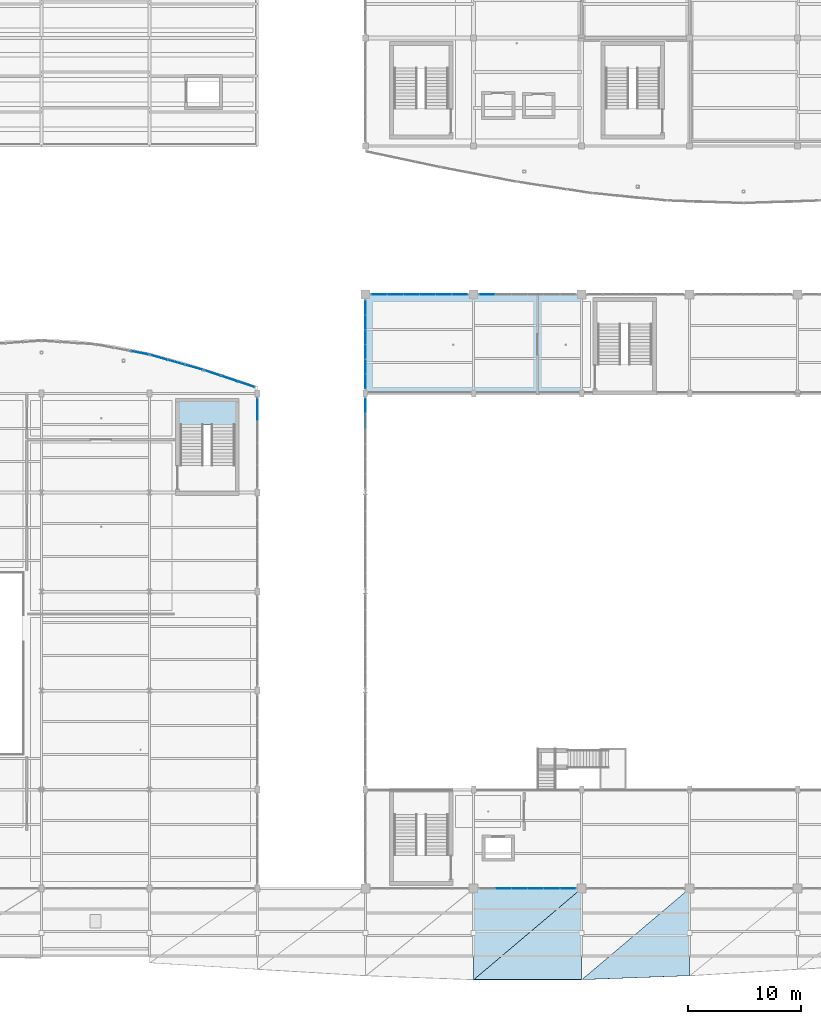
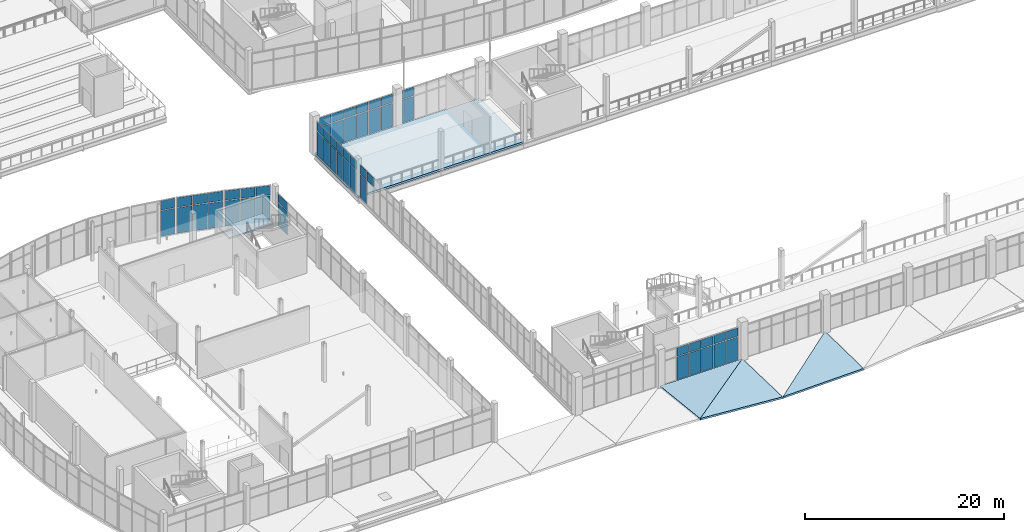
# One storey, part 118 of 157: 55 plates, 5 slabs, 10 elements without a shape of their own.
"""IFC4 building model written with IfcOpenShell, lengths in metres."""

from ifc_helpers import new_model, si_unit, direction, frame, origin, origin_2d, place, context, subcontext, project, spatial, polyline, rectangle, outline, extrude, material, layer, layer_set, type_object, element, aggregate, save


model = new_model("IFC4")

# Units and contexts
model_context = context("Model", 3, precision=1e-05, world=origin(), true_north=direction((0.0, 1.0)))
body_context = subcontext(model_context, "Body", "Model", "MODEL_VIEW")
ifc_project = project(units=[si_unit("LENGTHUNIT", "METRE"), si_unit("AREAUNIT", "SQUARE_METRE"), si_unit("VOLUMEUNIT", "CUBIC_METRE"), si_unit("PLANEANGLEUNIT", "RADIAN"), si_unit("MASSUNIT", "GRAM", prefix="KILO")], contexts=[model_context])

# Site, building, storey
site_placement = place(None, origin())
site = spatial("IfcSite", under=ifc_project, at=site_placement, CompositionType="ELEMENT")
building_placement = place(site_placement, origin())
building = spatial("IfcBuilding", under=site, at=building_placement, Name="Chalmorin Arch Market", CompositionType="ELEMENT")
storey_placement = place(building_placement, frame((0.0, 0.0, 4.800048828125)))
storey = spatial("IfcBuildingStorey", under=building, at=storey_placement, Name="L01", CompositionType="ELEMENT", Elevation=4.800048828125)

# Slabs
ifc_material_1 = material(Name="Concrete C40/50", Category="concrete")
ifc_layer_1 = layer(ifc_material_1, 0.219970703125)
ifc_layer_set_1 = layer_set([ifc_layer_1], Name="Concrete C40/50")
slab_type_1 = type_object("IfcSlabType", Name="ColonnadeCanopySlab-220", PredefinedType="ROOF", material=ifc_layer_set_1)
slab_1_placement = place(storey_placement, frame((57.6201171875, -2.10302734375, 0.94384765625), z_axis=(0.071755612229, 0.026622179973, 0.997066894269), x_axis=(0.997420413023, 0.0, -0.071781053806)))
element("IfcSlab", 1, at=slab_1_placement, inside=storey, type_object=slab_type_1, Name="RS-220-071", PredefinedType="ROOF", context=body_context, shape_type="SweptSolid", body=[
    extrude(outline(polyline([(0.0, 0.0), (9.584538604091225, 0.0), (9.600030413555308, 8.085873713338788), (0.0, 0.0)])), origin(), (0.0, 0.0, -1.0), 0.219970703125),
])
slab_2_placement = place(storey_placement, frame((57.6201171875, -2.10302734375, 0.94384765625), z_axis=(0.0, 0.111123357197, 0.993806620769), x_axis=(0.761642854081, 0.643983747808, -0.072007606451)))
element("IfcSlab", 2, at=slab_2_placement, inside=storey, type_object=slab_type_1, Name="RS-220-072", PredefinedType="ROOF", context=body_context, shape_type="SweptSolid", body=[
    extrude(outline(polyline([(0.0, 0.0), (12.551571122741969, 5.134781488891349e-16), (5.270406758179698, 6.194731461040598), (0.0, 0.0)])), origin(), (0.0, 0.0, -1.0), 0.219970703125),
])
slab_3_placement = place(storey_placement, frame((67.219970703125, -2.10205078125, 0.25390625), z_axis=(0.008063371456, 0.016919424366, 0.999824342132), x_axis=(0.999296239927, 0.036493018619, -0.00867666177)))
element("IfcSlab", 3, at=slab_3_placement, inside=storey, type_object=slab_type_1, Name="RS-220-073", PredefinedType="ROOF", context=body_context, shape_type="SweptSolid", body=[
    extrude(outline(polyline([(0.0, 0.0), (9.566791319505747, -5.160802341031001e-17), (9.85012397635567, 7.7288256718742305), (0.0, 0.0)])), origin(), (0.0, 0.0, -1.0), 0.219970703125),
])
ifc_layer_2 = layer(ifc_material_1, 0.25)
ifc_layer_set_2 = layer_set([ifc_layer_2], Name="Concrete C40/50")
slab_type_2 = type_object("IfcSlabType", Name="MezzanineDeckSlab-250", PredefinedType="FLOOR", material=ifc_layer_set_2)
slab_4_placement = place(storey_placement, frame((0.0, 0.0, -0.25)))
element("IfcSlab", 4, at=slab_4_placement, inside=storey, type_object=slab_type_2, Name="FS-250-086", PredefinedType="FLOOR", context=body_context, shape_type="SweptSolid", body=[
    extrude(outline(polyline([(48.010009765625, 50.0), (67.18994140625, 50.0), (67.18994140625, 58.800048828125), (48.010009765625, 58.800048828125), (48.010009765625, 50.0)])), origin(), (0.0, 0.0, 1.0), 0.25),
])

# Curtain wall, plates
ifc_material_2 = material(Name="Aluminium 6063-T6", Category="aluminium")
ifc_layer_3 = layer(ifc_material_2, 0.159912109375)
ifc_layer_set_3 = layer_set([ifc_layer_3], Name="Aluminium 6063-T6")
curtain_wall_type_1 = type_object("IfcCurtainWallType", Name="MarketClerestoryCurtainWall-CW1-8580x4150", PredefinedType="NOTDEFINED", material=ifc_layer_set_3)
curtain_wall_1_placement = place(storey_placement, origin())
curtain_wall_1 = element("IfcCurtainWall", 5, at=curtain_wall_1_placement, inside=storey, type_object=curtain_wall_type_1, Name="CW-01-002", PredefinedType="NOTDEFINED")
ifc_material_3 = material(Name="Powder-coated Aluminium Panel", Category="aluminium")
ifc_layer_4 = layer(ifc_material_3, 0.0400390625)
ifc_layer_set_4 = layer_set([ifc_layer_4], Name="Powder-coated Aluminium Panel")
plate_type_1 = type_object("IfcPlateType", Name="ShadowboxSpandrelPanel-40", PredefinedType="CURTAIN_PANEL", material=ifc_layer_set_4)
plate_1_placement = place(storey_placement, frame((49.22509765625, 58.800048828125, 3.03271484375), z_axis=(0.0, 0.0, 1.0), x_axis=(1.0, 0.0, 0.0)))
plate_1 = element("IfcPlate", 6, at=plate_1_placement, type_object=plate_type_1, Name="SP-40-002-01B", PredefinedType="CURTAIN_PANEL", context=body_context, shape_type="SweptSolid", body=[
    extrude(rectangle(XDim=1.35009765625, YDim=0.0400390625, at=origin_2d()), origin(), (0.0, 0.0, 1.0), 1.047119140625),
])
plate_2_placement = place(storey_placement, frame((50.655029296875, 58.800048828125, 3.03271484375), z_axis=(0.0, 0.0, 1.0), x_axis=(1.0, 0.0, 0.0)))
plate_2 = element("IfcPlate", 7, at=plate_2_placement, type_object=plate_type_1, Name="SP-40-002-02B", PredefinedType="CURTAIN_PANEL", context=body_context, shape_type="SweptSolid", body=[
    extrude(rectangle(XDim=1.35009765625, YDim=0.0400390625, at=origin_2d()), origin(), (0.0, 0.0, 1.0), 1.047119140625),
])
plate_3_placement = place(storey_placement, frame((52.0849609375, 58.800048828125, 3.03271484375), z_axis=(0.0, 0.0, 1.0), x_axis=(1.0, 0.0, 0.0)))
plate_3 = element("IfcPlate", 8, at=plate_3_placement, type_object=plate_type_1, Name="SP-40-002-03B", PredefinedType="CURTAIN_PANEL", context=body_context, shape_type="SweptSolid", body=[
    extrude(rectangle(XDim=1.35009765625, YDim=0.0400390625, at=origin_2d()), origin(), (0.0, 0.0, 1.0), 1.047119140625),
])
plate_4_placement = place(storey_placement, frame((53.514892578125, 58.800048828125, 3.03271484375), z_axis=(0.0, 0.0, 1.0), x_axis=(1.0, 0.0, 0.0)))
plate_4 = element("IfcPlate", 9, at=plate_4_placement, type_object=plate_type_1, Name="SP-40-002-04B", PredefinedType="CURTAIN_PANEL", context=body_context, shape_type="SweptSolid", body=[
    extrude(rectangle(XDim=1.35009765625, YDim=0.0400390625, at=origin_2d()), origin(), (0.0, 0.0, 1.0), 1.047119140625),
])
plate_5_placement = place(storey_placement, frame((54.945068359375, 58.800048828125, 3.03271484375), z_axis=(0.0, 0.0, 1.0), x_axis=(1.0, 0.0, 0.0)))
plate_5 = element("IfcPlate", 10, at=plate_5_placement, type_object=plate_type_1, Name="SP-40-002-05B", PredefinedType="CURTAIN_PANEL", context=body_context, shape_type="SweptSolid", body=[
    extrude(rectangle(XDim=1.35009765625, YDim=0.0400390625, at=origin_2d()), origin(), (0.0, 0.0, 1.0), 1.047119140625),
])
plate_6_placement = place(storey_placement, frame((56.375, 58.800048828125, 3.03271484375), z_axis=(0.0, 0.0, 1.0), x_axis=(1.0, 0.0, 0.0)))
plate_6 = element("IfcPlate", 11, at=plate_6_placement, type_object=plate_type_1, Name="SP-40-002-06B", PredefinedType="CURTAIN_PANEL", context=body_context, shape_type="SweptSolid", body=[
    extrude(rectangle(XDim=1.35009765625, YDim=0.0400390625, at=origin_2d()), origin(), (0.0, 0.0, 1.0), 1.047119140625),
])

# Curtain wall, plate
curtain_wall_2_placement = place(storey_placement, origin())
curtain_wall_2 = element("IfcCurtainWall", 12, at=curtain_wall_2_placement, inside=storey, type_object=curtain_wall_type_1, Name="CW-01-006", PredefinedType="NOTDEFINED")
plate_7_placement = place(storey_placement, frame((58.824951171875, 58.800048828125, 3.03271484375), z_axis=(0.0, 0.0, 1.0), x_axis=(1.0, 0.0, 0.0)))
plate_7 = element("IfcPlate", 13, at=plate_7_placement, type_object=plate_type_1, Name="SP-40-006-01B", PredefinedType="CURTAIN_PANEL", context=body_context, shape_type="SweptSolid", body=[
    extrude(rectangle(XDim=1.35009765625, YDim=0.0400390625, at=origin_2d()), origin(), (0.0, 0.0, 1.0), 1.047119140625),
])

# Curtain wall, plates
ifc_layer_5 = layer(ifc_material_2, 0.159912109375)
ifc_layer_set_5 = layer_set([ifc_layer_5], Name="Aluminium 6063-T6")
curtain_wall_type_2 = type_object("IfcCurtainWallType", Name="GableTympanumCurtainWall-CW4-8100x4200", PredefinedType="NOTDEFINED", material=ifc_layer_set_5)
curtain_wall_3_placement = place(storey_placement, origin())
curtain_wall_3 = element("IfcCurtainWall", 14, at=curtain_wall_3_placement, inside=storey, type_object=curtain_wall_type_2, Name="CW-04-032", PredefinedType="NOTDEFINED")
plate_8_placement = place(storey_placement, frame((48.0, 47.564453125, 3.06884765625), z_axis=(0.0, 0.0, 1.0), x_axis=(0.0, 1.0, 0.0)))
plate_8 = element("IfcPlate", 15, at=plate_8_placement, type_object=plate_type_1, Name="SP-40-032-05B", PredefinedType="CURTAIN_PANEL", context=body_context, shape_type="SweptSolid", body=[
    extrude(rectangle(XDim=1.270263671875, YDim=0.0400390625, at=origin_2d()), origin(), (0.0, 0.0, 1.0), 1.06103515625),
])
plate_9_placement = place(storey_placement, frame((48.0, 48.914794921875, 3.06884765625), z_axis=(0.0, 0.0, 1.0), x_axis=(0.0, 1.0, 0.0)))
plate_9 = element("IfcPlate", 16, at=plate_9_placement, type_object=plate_type_1, Name="SP-40-032-06B", PredefinedType="CURTAIN_PANEL", context=body_context, shape_type="SweptSolid", body=[
    extrude(rectangle(XDim=1.270263671875, YDim=0.0400390625, at=origin_2d()), origin(), (0.0, 0.0, 1.0), 1.06103515625),
])

ifc_layer_6 = layer(ifc_material_2, 0.159912109375)
ifc_layer_set_6 = layer_set([ifc_layer_6], Name="Aluminium 6063-T6")
curtain_wall_type_3 = type_object("IfcCurtainWallType", Name="GableTympanumCurtainWall-CW4-7880x4200", PredefinedType="NOTDEFINED", material=ifc_layer_set_6)
curtain_wall_4_placement = place(storey_placement, origin())
curtain_wall_4 = element("IfcCurtainWall", 17, at=curtain_wall_4_placement, inside=storey, type_object=curtain_wall_type_3, Name="CW-04-035", PredefinedType="NOTDEFINED")
plate_10_placement = place(storey_placement, frame((48.0, 51.066650390625, 3.06884765625), z_axis=(0.0, 0.0, 1.0), x_axis=(0.0, 1.0, 0.0)))
plate_10 = element("IfcPlate", 18, at=plate_10_placement, type_object=plate_type_1, Name="SP-40-035-01B", PredefinedType="CURTAIN_PANEL", context=body_context, shape_type="SweptSolid", body=[
    extrude(rectangle(XDim=1.2333984375, YDim=0.0400390625, at=origin_2d()), origin(), (0.0, 0.0, 1.0), 1.06103515625),
])
plate_11_placement = place(storey_placement, frame((48.0, 52.3798828125, 3.06884765625), z_axis=(0.0, 0.0, 1.0), x_axis=(0.0, 1.0, 0.0)))
plate_11 = element("IfcPlate", 19, at=plate_11_placement, type_object=plate_type_1, Name="SP-40-035-02B", PredefinedType="CURTAIN_PANEL", context=body_context, shape_type="SweptSolid", body=[
    extrude(rectangle(XDim=1.2333984375, YDim=0.0400390625, at=origin_2d()), origin(), (0.0, 0.0, 1.0), 1.06103515625),
])
plate_12_placement = place(storey_placement, frame((48.0, 53.693359375, 3.06884765625), z_axis=(0.0, 0.0, 1.0), x_axis=(0.0, 1.0, 0.0)))
plate_12 = element("IfcPlate", 20, at=plate_12_placement, type_object=plate_type_1, Name="SP-40-035-03B", PredefinedType="CURTAIN_PANEL", context=body_context, shape_type="SweptSolid", body=[
    extrude(rectangle(XDim=1.2333984375, YDim=0.0400390625, at=origin_2d()), origin(), (0.0, 0.0, 1.0), 1.06103515625),
])
plate_13_placement = place(storey_placement, frame((48.0, 55.006591796875, 3.06884765625), z_axis=(0.0, 0.0, 1.0), x_axis=(0.0, 1.0, 0.0)))
plate_13 = element("IfcPlate", 21, at=plate_13_placement, type_object=plate_type_1, Name="SP-40-035-04B", PredefinedType="CURTAIN_PANEL", context=body_context, shape_type="SweptSolid", body=[
    extrude(rectangle(XDim=1.2333984375, YDim=0.0400390625, at=origin_2d()), origin(), (0.0, 0.0, 1.0), 1.06103515625),
])
plate_14_placement = place(storey_placement, frame((48.0, 56.320068359375, 3.06884765625), z_axis=(0.0, 0.0, 1.0), x_axis=(0.0, 1.0, 0.0)))
plate_14 = element("IfcPlate", 22, at=plate_14_placement, type_object=plate_type_1, Name="SP-40-035-05B", PredefinedType="CURTAIN_PANEL", context=body_context, shape_type="SweptSolid", body=[
    extrude(rectangle(XDim=1.2333984375, YDim=0.0400390625, at=origin_2d()), origin(), (0.0, 0.0, 1.0), 1.06103515625),
])
plate_15_placement = place(storey_placement, frame((48.0, 57.63330078125, 3.06884765625), z_axis=(0.0, 0.0, 1.0), x_axis=(0.0, 1.0, 0.0)))
plate_15 = element("IfcPlate", 23, at=plate_15_placement, type_object=plate_type_1, Name="SP-40-035-06B", PredefinedType="CURTAIN_PANEL", context=body_context, shape_type="SweptSolid", body=[
    extrude(rectangle(XDim=1.2333984375, YDim=0.0400390625, at=origin_2d()), origin(), (0.0, 0.0, 1.0), 1.06103515625),
])

# Curtain wall, plate
ifc_layer_7 = layer(ifc_material_2, 0.159912109375)
ifc_layer_set_7 = layer_set([ifc_layer_7], Name="Aluminium 6063-T6")
curtain_wall_type_4 = type_object("IfcCurtainWallType", Name="RiverfrontStorefrontCurtainWall-CW2-4710x4520", PredefinedType="NOTDEFINED", material=ifc_layer_set_7)
curtain_wall_5_placement = place(storey_placement, origin())
curtain_wall_5 = element("IfcCurtainWall", 24, at=curtain_wall_5_placement, inside=storey, type_object=curtain_wall_type_4, Name="CW-02-085", PredefinedType="NOTDEFINED")
plate_16_placement = place(storey_placement, frame((27.941162109375, 53.61279296875, 3.29931640625), z_axis=(0.0, 0.0, 1.0), x_axis=(0.981627183448, -0.190808995377, 0.0)))
plate_16 = element("IfcPlate", 25, at=plate_16_placement, type_object=plate_type_1, Name="SP-40-085-03B", PredefinedType="CURTAIN_PANEL", context=body_context, shape_type="SweptSolid", body=[
    extrude(rectangle(XDim=1.488525390625, YDim=0.0400390625, at=origin_2d()), origin(), (0.0, 0.0, 1.0), 1.150634765625),
])

# Curtain wall, plates
ifc_layer_8 = layer(ifc_material_2, 0.159912109375)
ifc_layer_set_8 = layer_set([ifc_layer_8], Name="Aluminium 6063-T6")
curtain_wall_type_5 = type_object("IfcCurtainWallType", Name="RiverfrontStorefrontCurtainWall-CW2-4810x4520", PredefinedType="NOTDEFINED", material=ifc_layer_set_8)
curtain_wall_6_placement = place(storey_placement, origin())
curtain_wall_6 = element("IfcCurtainWall", 26, at=curtain_wall_6_placement, inside=storey, type_object=curtain_wall_type_5, Name="CW-02-088", PredefinedType="NOTDEFINED")
plate_17_placement = place(storey_placement, frame((29.65771484375, 53.206298828125, 3.29931640625), z_axis=(0.0, 0.0, 1.0), x_axis=(0.961261695938, -0.275637355817, 0.0)))
plate_17 = element("IfcPlate", 27, at=plate_17_placement, type_object=plate_type_1, Name="SP-40-088-01B", PredefinedType="CURTAIN_PANEL", context=body_context, shape_type="SweptSolid", body=[
    extrude(rectangle(XDim=1.523193359375, YDim=0.0400390625, at=origin_2d()), origin(), (0.0, 0.0, 1.0), 1.150634765625),
])
plate_18_placement = place(storey_placement, frame((31.199951171875, 52.7685546875, 3.29931640625), z_axis=(0.0, 0.0, 1.0), x_axis=(0.961261695938, -0.275637355817, 0.0)))
plate_18 = element("IfcPlate", 28, at=plate_18_placement, type_object=plate_type_1, Name="SP-40-088-02B", PredefinedType="CURTAIN_PANEL", context=body_context, shape_type="SweptSolid", body=[
    extrude(rectangle(XDim=1.523193359375, YDim=0.0400390625, at=origin_2d()), origin(), (0.0, 0.0, 1.0), 1.150634765625),
])
plate_19_placement = place(storey_placement, frame((32.7421875, 52.33056640625, 3.29931640625), z_axis=(0.0, 0.0, 1.0), x_axis=(0.961261695938, -0.275637355817, 0.0)))
plate_19 = element("IfcPlate", 29, at=plate_19_placement, type_object=plate_type_1, Name="SP-40-088-03B", PredefinedType="CURTAIN_PANEL", context=body_context, shape_type="SweptSolid", body=[
    extrude(rectangle(XDim=1.523193359375, YDim=0.0400390625, at=origin_2d()), origin(), (0.0, 0.0, 1.0), 1.150634765625),
])

ifc_layer_9 = layer(ifc_material_2, 0.159912109375)
ifc_layer_set_9 = layer_set([ifc_layer_9], Name="Aluminium 6063-T6")
curtain_wall_type_6 = type_object("IfcCurtainWallType", Name="RiverfrontStorefrontCurtainWall-CW2-4700x4520", PredefinedType="NOTDEFINED", material=ifc_layer_set_9)
curtain_wall_7_placement = place(storey_placement, origin())
curtain_wall_7 = element("IfcCurtainWall", 30, at=curtain_wall_7_placement, inside=storey, type_object=curtain_wall_type_6, Name="CW-02-091", PredefinedType="NOTDEFINED")
plate_20_placement = place(storey_placement, frame((34.427734375, 51.809814453125, 3.29931640625), z_axis=(0.0, 0.0, 1.0), x_axis=(0.945518575599, -0.325568154457, 0.0)))
plate_20 = element("IfcPlate", 31, at=plate_20_placement, type_object=plate_type_1, Name="SP-40-091-01B", PredefinedType="CURTAIN_PANEL", context=body_context, shape_type="SweptSolid", body=[
    extrude(rectangle(XDim=1.48583984375, YDim=0.0400390625, at=origin_2d()), origin(), (0.0, 0.0, 1.0), 1.150634765625),
])
plate_21_placement = place(storey_placement, frame((35.91259765625, 51.312744140625, 3.29931640625), z_axis=(0.0, 0.0, 1.0), x_axis=(0.945518575599, -0.325568154457, 0.0)))
plate_21 = element("IfcPlate", 32, at=plate_21_placement, type_object=plate_type_1, Name="SP-40-091-02B", PredefinedType="CURTAIN_PANEL", context=body_context, shape_type="SweptSolid", body=[
    extrude(rectangle(XDim=1.48583984375, YDim=0.0400390625, at=origin_2d()), origin(), (0.0, 0.0, 1.0), 1.150634765625),
])
plate_22_placement = place(storey_placement, frame((37.397705078125, 50.815673828125, 3.29931640625), z_axis=(0.0, 0.0, 1.0), x_axis=(0.945518575599, -0.325568154457, 0.0)))
plate_22 = element("IfcPlate", 33, at=plate_22_placement, type_object=plate_type_1, Name="SP-40-091-03B", PredefinedType="CURTAIN_PANEL", context=body_context, shape_type="SweptSolid", body=[
    extrude(rectangle(XDim=1.48583984375, YDim=0.0400390625, at=origin_2d()), origin(), (0.0, 0.0, 1.0), 1.150634765625),
])

# Curtain wall, plate
ifc_layer_10 = layer(ifc_material_2, 0.159912109375)
ifc_layer_set_10 = layer_set([ifc_layer_10], Name="Aluminium 6063-T6")
curtain_wall_type_7 = type_object("IfcCurtainWallType", Name="RiverfrontStorefrontCurtainWall-CW2-7930x4080", PredefinedType="NOTDEFINED", material=ifc_layer_set_10)
curtain_wall_8_placement = place(storey_placement, origin())
curtain_wall_8 = element("IfcCurtainWall", 34, at=curtain_wall_8_placement, inside=storey, type_object=curtain_wall_type_7, Name="CW-02-105", PredefinedType="NOTDEFINED")
plate_23_placement = place(storey_placement, frame((38.39990234375, 48.57373046875, 2.9794921875), z_axis=(0.0, 0.0, 1.0), x_axis=(0.0, 1.0, 0.0)))
plate_23 = element("IfcPlate", 35, at=plate_23_placement, type_object=plate_type_1, Name="SP-40-105-04B", PredefinedType="CURTAIN_PANEL", context=body_context, shape_type="SweptSolid", body=[
    extrude(rectangle(XDim=1.902587890625, YDim=0.0400390625, at=origin_2d()), origin(), (0.0, 0.0, 1.0), 1.0263671875),
])

# Stair, slab
stair_type = type_object("IfcStairType", Name="DoglegExitStair-28R-SC2", PredefinedType="HALF_TURN_STAIR", material=ifc_material_1)
stair_placement = place(storey_placement, origin())
stair = element("IfcStair", 36, at=stair_placement, inside=storey, type_object=stair_type, Name="ST-04", PredefinedType="HALF_TURN_STAIR")
ifc_layer_11 = layer(ifc_material_1, 0.195068359375)
ifc_layer_set_11 = layer_set([ifc_layer_11], Name="Concrete C40/50")
slab_type_3 = type_object("IfcSlabType", Name="StairLandingSlab-195", PredefinedType="LANDING", material=ifc_layer_set_11)
slab_5_placement = place(storey_placement, frame((0.0, 0.0, 2.204833984375)))
slab_5 = element("IfcSlab", 37, at=slab_5_placement, type_object=slab_type_3, Name="LS-004", PredefinedType="LANDING", context=body_context, shape_type="SweptSolid", body=[
    extrude(outline(polyline([(31.419921875, 47.2099609375), (36.47998046875, 47.2099609375), (36.47998046875, 49.280029296875), (31.419921875, 49.280029296875), (31.419921875, 47.2099609375)])), origin(), (0.0, 0.0, 1.0), 0.195068359375),
])
aggregate(stair, [slab_5])

# Curtain wall, plates
ifc_layer_12 = layer(ifc_material_2, 0.159912109375)
ifc_layer_set_12 = layer_set([ifc_layer_12], Name="Aluminium 6063-T6")
curtain_wall_type_8 = type_object("IfcCurtainWallType", Name="MarketClerestoryCurtainWall-CW1-8580x4100", PredefinedType="NOTDEFINED", material=ifc_layer_set_12)
curtain_wall_9_placement = place(storey_placement, origin())
curtain_wall_9 = element("IfcCurtainWall", 38, at=curtain_wall_9_placement, inside=storey, type_object=curtain_wall_type_8, Name="CW-01-004", PredefinedType="NOTDEFINED")
ifc_material_4 = material(Name="Architectural Terracotta", Category="masonry")
ifc_layer_13 = layer(ifc_material_4, 0.044921875)
ifc_layer_set_13 = layer_set([ifc_layer_13], Name="Architectural Terracotta")
plate_type_2 = type_object("IfcPlateType", Name="TerracottaSpandrelPanel-45", PredefinedType="CURTAIN_PANEL", material=ifc_layer_set_13)
plate_24_placement = place(storey_placement, frame((60.2548828125, 6.0, 2.994140625), z_axis=(0.0, 0.0, 1.0), x_axis=(1.0, 0.0, 0.0)))
plate_24 = element("IfcPlate", 39, at=plate_24_placement, type_object=plate_type_2, Name="SP-45-004-02B", PredefinedType="CURTAIN_PANEL", context=body_context, shape_type="SweptSolid", body=[
    extrude(rectangle(XDim=1.35009765625, YDim=0.044921875, at=origin_2d()), origin(), (0.0, 0.0, 1.0), 1.031982421875),
])
plate_25_placement = place(storey_placement, frame((61.68505859375, 6.0, 2.994140625), z_axis=(0.0, 0.0, 1.0), x_axis=(1.0, 0.0, 0.0)))
plate_25 = element("IfcPlate", 40, at=plate_25_placement, type_object=plate_type_2, Name="SP-45-004-03B", PredefinedType="CURTAIN_PANEL", context=body_context, shape_type="SweptSolid", body=[
    extrude(rectangle(XDim=1.35009765625, YDim=0.044921875, at=origin_2d()), origin(), (0.0, 0.0, 1.0), 1.031982421875),
])
plate_26_placement = place(storey_placement, frame((63.114990234375, 6.0, 2.994140625), z_axis=(0.0, 0.0, 1.0), x_axis=(1.0, 0.0, 0.0)))
plate_26 = element("IfcPlate", 41, at=plate_26_placement, type_object=plate_type_2, Name="SP-45-004-04B", PredefinedType="CURTAIN_PANEL", context=body_context, shape_type="SweptSolid", body=[
    extrude(rectangle(XDim=1.35009765625, YDim=0.044921875, at=origin_2d()), origin(), (0.0, 0.0, 1.0), 1.031982421875),
])
plate_27_placement = place(storey_placement, frame((64.544921875, 6.0, 2.994140625), z_axis=(0.0, 0.0, 1.0), x_axis=(1.0, 0.0, 0.0)))
plate_27 = element("IfcPlate", 42, at=plate_27_placement, type_object=plate_type_2, Name="SP-45-004-05B", PredefinedType="CURTAIN_PANEL", context=body_context, shape_type="SweptSolid", body=[
    extrude(rectangle(XDim=1.35009765625, YDim=0.044921875, at=origin_2d()), origin(), (0.0, 0.0, 1.0), 1.031982421875),
])
plate_28_placement = place(storey_placement, frame((65.97509765625, 6.0, 2.994140625), z_axis=(0.0, 0.0, 1.0), x_axis=(1.0, 0.0, 0.0)))
plate_28 = element("IfcPlate", 43, at=plate_28_placement, type_object=plate_type_2, Name="SP-45-004-06B", PredefinedType="CURTAIN_PANEL", context=body_context, shape_type="SweptSolid", body=[
    extrude(rectangle(XDim=1.35009765625, YDim=0.044921875, at=origin_2d()), origin(), (0.0, 0.0, 1.0), 1.031982421875),
])
ifc_material_5 = material(Name="Laminated Acoustic Glass", Category="glass")
ifc_layer_14 = layer(ifc_material_5, 0.031982421875)
ifc_layer_set_14 = layer_set([ifc_layer_14], Name="Laminated Acoustic Glass")
plate_type_3 = type_object("IfcPlateType", Name="TintedClerestoryGlass-32", PredefinedType="CURTAIN_PANEL", material=ifc_layer_set_14)
plate_29_placement = place(storey_placement, frame((60.2548828125, 6.0, 0.070068359375), z_axis=(0.0, 0.0, 1.0), x_axis=(1.0, 0.0, 0.0)))
plate_29 = element("IfcPlate", 44, at=plate_29_placement, type_object=plate_type_3, Name="GL-32-004-02A", PredefinedType="CURTAIN_PANEL", context=body_context, shape_type="SweptSolid", body=[
    extrude(rectangle(XDim=1.35009765625, YDim=0.031982421875, at=origin_2d()), origin(), (0.0, 0.0, 1.0), 2.833984375),
])
plate_30_placement = place(storey_placement, frame((61.68505859375, 6.0, 0.070068359375), z_axis=(0.0, 0.0, 1.0), x_axis=(1.0, 0.0, 0.0)))
plate_30 = element("IfcPlate", 45, at=plate_30_placement, type_object=plate_type_3, Name="GL-32-004-03A", PredefinedType="CURTAIN_PANEL", context=body_context, shape_type="SweptSolid", body=[
    extrude(rectangle(XDim=1.35009765625, YDim=0.031982421875, at=origin_2d()), origin(), (0.0, 0.0, 1.0), 2.833984375),
])
plate_31_placement = place(storey_placement, frame((63.114990234375, 6.0, 0.070068359375), z_axis=(0.0, 0.0, 1.0), x_axis=(1.0, 0.0, 0.0)))
plate_31 = element("IfcPlate", 46, at=plate_31_placement, type_object=plate_type_3, Name="GL-32-004-04A", PredefinedType="CURTAIN_PANEL", context=body_context, shape_type="SweptSolid", body=[
    extrude(rectangle(XDim=1.35009765625, YDim=0.031982421875, at=origin_2d()), origin(), (0.0, 0.0, 1.0), 2.833984375),
])
plate_32_placement = place(storey_placement, frame((64.544921875, 6.0, 0.070068359375), z_axis=(0.0, 0.0, 1.0), x_axis=(1.0, 0.0, 0.0)))
plate_32 = element("IfcPlate", 47, at=plate_32_placement, type_object=plate_type_3, Name="GL-32-004-05A", PredefinedType="CURTAIN_PANEL", context=body_context, shape_type="SweptSolid", body=[
    extrude(rectangle(XDim=1.35009765625, YDim=0.031982421875, at=origin_2d()), origin(), (0.0, 0.0, 1.0), 2.833984375),
])
plate_33_placement = place(storey_placement, frame((65.97509765625, 6.0, 0.070068359375), z_axis=(0.0, 0.0, 1.0), x_axis=(1.0, 0.0, 0.0)))
plate_33 = element("IfcPlate", 48, at=plate_33_placement, type_object=plate_type_3, Name="GL-32-004-06A", PredefinedType="CURTAIN_PANEL", context=body_context, shape_type="SweptSolid", body=[
    extrude(rectangle(XDim=1.35009765625, YDim=0.031982421875, at=origin_2d()), origin(), (0.0, 0.0, 1.0), 2.833984375),
])
aggregate(curtain_wall_9, [plate_29, plate_24, plate_30, plate_25, plate_31, plate_26, plate_32, plate_27, plate_33, plate_28])

# Plate
ifc_material_6 = material(Name="Low-E Tempered Glass", Category="glass")
ifc_layer_15 = layer(ifc_material_6, 0.028076171875)
ifc_layer_set_15 = layer_set([ifc_layer_15], Name="Low-E Tempered Glass")
plate_type_4 = type_object("IfcPlateType", Name="VisionIGUPanel-28", PredefinedType="CURTAIN_PANEL", material=ifc_layer_set_15)
plate_34_placement = place(storey_placement, frame((49.22509765625, 58.800048828125, 0.06982421875), z_axis=(0.0, 0.0, 1.0), x_axis=(1.0, 0.0, 0.0)))
plate_34 = element("IfcPlate", 49, at=plate_34_placement, type_object=plate_type_4, Name="GL-28-002-01A", PredefinedType="CURTAIN_PANEL", context=body_context, shape_type="SweptSolid", body=[
    extrude(rectangle(XDim=1.35009765625, YDim=0.028076171875, at=origin_2d()), origin(), (0.0, 0.0, 1.0), 2.873046875),
])

plate_35_placement = place(storey_placement, frame((50.655029296875, 58.800048828125, 0.06982421875), z_axis=(0.0, 0.0, 1.0), x_axis=(1.0, 0.0, 0.0)))
plate_35 = element("IfcPlate", 50, at=plate_35_placement, type_object=plate_type_4, Name="GL-28-002-02A", PredefinedType="CURTAIN_PANEL", context=body_context, shape_type="SweptSolid", body=[
    extrude(rectangle(XDim=1.35009765625, YDim=0.028076171875, at=origin_2d()), origin(), (0.0, 0.0, 1.0), 2.873046875),
])

plate_36_placement = place(storey_placement, frame((52.0849609375, 58.800048828125, 0.06982421875), z_axis=(0.0, 0.0, 1.0), x_axis=(1.0, 0.0, 0.0)))
plate_36 = element("IfcPlate", 51, at=plate_36_placement, type_object=plate_type_4, Name="GL-28-002-03A", PredefinedType="CURTAIN_PANEL", context=body_context, shape_type="SweptSolid", body=[
    extrude(rectangle(XDim=1.35009765625, YDim=0.028076171875, at=origin_2d()), origin(), (0.0, 0.0, 1.0), 2.873046875),
])

plate_37_placement = place(storey_placement, frame((53.514892578125, 58.800048828125, 0.06982421875), z_axis=(0.0, 0.0, 1.0), x_axis=(1.0, 0.0, 0.0)))
plate_37 = element("IfcPlate", 52, at=plate_37_placement, type_object=plate_type_4, Name="GL-28-002-04A", PredefinedType="CURTAIN_PANEL", context=body_context, shape_type="SweptSolid", body=[
    extrude(rectangle(XDim=1.35009765625, YDim=0.028076171875, at=origin_2d()), origin(), (0.0, 0.0, 1.0), 2.873046875),
])

plate_38_placement = place(storey_placement, frame((54.945068359375, 58.800048828125, 0.06982421875), z_axis=(0.0, 0.0, 1.0), x_axis=(1.0, 0.0, 0.0)))
plate_38 = element("IfcPlate", 53, at=plate_38_placement, type_object=plate_type_4, Name="GL-28-002-05A", PredefinedType="CURTAIN_PANEL", context=body_context, shape_type="SweptSolid", body=[
    extrude(rectangle(XDim=1.35009765625, YDim=0.028076171875, at=origin_2d()), origin(), (0.0, 0.0, 1.0), 2.873046875),
])

plate_39_placement = place(storey_placement, frame((56.375, 58.800048828125, 0.06982421875), z_axis=(0.0, 0.0, 1.0), x_axis=(1.0, 0.0, 0.0)))
plate_39 = element("IfcPlate", 54, at=plate_39_placement, type_object=plate_type_4, Name="GL-28-002-06A", PredefinedType="CURTAIN_PANEL", context=body_context, shape_type="SweptSolid", body=[
    extrude(rectangle(XDim=1.35009765625, YDim=0.028076171875, at=origin_2d()), origin(), (0.0, 0.0, 1.0), 2.873046875),
])

aggregate(curtain_wall_1, [plate_34, plate_1, plate_35, plate_2, plate_36, plate_3, plate_37, plate_4, plate_38, plate_5, plate_39, plate_6])

plate_40_placement = place(storey_placement, frame((58.824951171875, 58.800048828125, 0.06982421875), z_axis=(0.0, 0.0, 1.0), x_axis=(1.0, 0.0, 0.0)))
plate_40 = element("IfcPlate", 55, at=plate_40_placement, type_object=plate_type_4, Name="GL-28-006-01A", PredefinedType="CURTAIN_PANEL", context=body_context, shape_type="SweptSolid", body=[
    extrude(rectangle(XDim=1.35009765625, YDim=0.028076171875, at=origin_2d()), origin(), (0.0, 0.0, 1.0), 2.873046875),
])

aggregate(curtain_wall_2, [plate_40, plate_7])

plate_41_placement = place(storey_placement, frame((48.0, 48.914794921875, 0.06982421875), z_axis=(0.0, 0.0, 1.0), x_axis=(0.0, 1.0, 0.0)))
plate_41 = element("IfcPlate", 56, at=plate_41_placement, type_object=plate_type_4, Name="GL-28-032-06A", PredefinedType="CURTAIN_PANEL", context=body_context, shape_type="SweptSolid", body=[
    extrude(rectangle(XDim=1.270263671875, YDim=0.028076171875, at=origin_2d()), origin(), (0.0, 0.0, 1.0), 2.908935546875),
])

aggregate(curtain_wall_3, [plate_8, plate_41, plate_9])

plate_42_placement = place(storey_placement, frame((48.0, 51.066650390625, 0.06982421875), z_axis=(0.0, 0.0, 1.0), x_axis=(0.0, 1.0, 0.0)))
plate_42 = element("IfcPlate", 57, at=plate_42_placement, type_object=plate_type_4, Name="GL-28-035-01A", PredefinedType="CURTAIN_PANEL", context=body_context, shape_type="SweptSolid", body=[
    extrude(rectangle(XDim=1.2333984375, YDim=0.028076171875, at=origin_2d()), origin(), (0.0, 0.0, 1.0), 2.908935546875),
])

plate_43_placement = place(storey_placement, frame((48.0, 52.3798828125, 0.06982421875), z_axis=(0.0, 0.0, 1.0), x_axis=(0.0, 1.0, 0.0)))
plate_43 = element("IfcPlate", 58, at=plate_43_placement, type_object=plate_type_4, Name="GL-28-035-02A", PredefinedType="CURTAIN_PANEL", context=body_context, shape_type="SweptSolid", body=[
    extrude(rectangle(XDim=1.2333984375, YDim=0.028076171875, at=origin_2d()), origin(), (0.0, 0.0, 1.0), 2.908935546875),
])

plate_44_placement = place(storey_placement, frame((48.0, 53.693359375, 0.06982421875), z_axis=(0.0, 0.0, 1.0), x_axis=(0.0, 1.0, 0.0)))
plate_44 = element("IfcPlate", 59, at=plate_44_placement, type_object=plate_type_4, Name="GL-28-035-03A", PredefinedType="CURTAIN_PANEL", context=body_context, shape_type="SweptSolid", body=[
    extrude(rectangle(XDim=1.2333984375, YDim=0.028076171875, at=origin_2d()), origin(), (0.0, 0.0, 1.0), 2.908935546875),
])

plate_45_placement = place(storey_placement, frame((48.0, 55.006591796875, 0.06982421875), z_axis=(0.0, 0.0, 1.0), x_axis=(0.0, 1.0, 0.0)))
plate_45 = element("IfcPlate", 60, at=plate_45_placement, type_object=plate_type_4, Name="GL-28-035-04A", PredefinedType="CURTAIN_PANEL", context=body_context, shape_type="SweptSolid", body=[
    extrude(rectangle(XDim=1.2333984375, YDim=0.028076171875, at=origin_2d()), origin(), (0.0, 0.0, 1.0), 2.908935546875),
])

plate_46_placement = place(storey_placement, frame((48.0, 56.320068359375, 0.06982421875), z_axis=(0.0, 0.0, 1.0), x_axis=(0.0, 1.0, 0.0)))
plate_46 = element("IfcPlate", 61, at=plate_46_placement, type_object=plate_type_4, Name="GL-28-035-05A", PredefinedType="CURTAIN_PANEL", context=body_context, shape_type="SweptSolid", body=[
    extrude(rectangle(XDim=1.2333984375, YDim=0.028076171875, at=origin_2d()), origin(), (0.0, 0.0, 1.0), 2.908935546875),
])

plate_47_placement = place(storey_placement, frame((48.0, 57.63330078125, 0.06982421875), z_axis=(0.0, 0.0, 1.0), x_axis=(0.0, 1.0, 0.0)))
plate_47 = element("IfcPlate", 62, at=plate_47_placement, type_object=plate_type_4, Name="GL-28-035-06A", PredefinedType="CURTAIN_PANEL", context=body_context, shape_type="SweptSolid", body=[
    extrude(rectangle(XDim=1.2333984375, YDim=0.028076171875, at=origin_2d()), origin(), (0.0, 0.0, 1.0), 2.908935546875),
])

aggregate(curtain_wall_4, [plate_42, plate_10, plate_43, plate_11, plate_44, plate_12, plate_45, plate_13, plate_46, plate_14, plate_47, plate_15])

plate_48_placement = place(storey_placement, frame((27.941162109375, 53.61279296875, 0.06982421875), z_axis=(0.0, 0.0, 1.0), x_axis=(0.981627183448, -0.190808995377, 0.0)))
plate_48 = element("IfcPlate", 63, at=plate_48_placement, type_object=plate_type_4, Name="GL-28-085-03A", PredefinedType="CURTAIN_PANEL", context=body_context, shape_type="SweptSolid", body=[
    extrude(rectangle(XDim=1.488525390625, YDim=0.028076171875, at=origin_2d()), origin(), (0.0, 0.0, 1.0), 3.139404296875),
])

aggregate(curtain_wall_5, [plate_48, plate_16])

plate_49_placement = place(storey_placement, frame((29.65771484375, 53.206298828125, 0.06982421875), z_axis=(0.0, 0.0, 1.0), x_axis=(0.961261695938, -0.275637355817, 0.0)))
plate_49 = element("IfcPlate", 64, at=plate_49_placement, type_object=plate_type_4, Name="GL-28-088-01A", PredefinedType="CURTAIN_PANEL", context=body_context, shape_type="SweptSolid", body=[
    extrude(rectangle(XDim=1.523193359375, YDim=0.028076171875, at=origin_2d()), origin(), (0.0, 0.0, 1.0), 3.139404296875),
])

plate_50_placement = place(storey_placement, frame((31.199951171875, 52.7685546875, 0.06982421875), z_axis=(0.0, 0.0, 1.0), x_axis=(0.961261695938, -0.275637355817, 0.0)))
plate_50 = element("IfcPlate", 65, at=plate_50_placement, type_object=plate_type_4, Name="GL-28-088-02A", PredefinedType="CURTAIN_PANEL", context=body_context, shape_type="SweptSolid", body=[
    extrude(rectangle(XDim=1.523193359375, YDim=0.028076171875, at=origin_2d()), origin(), (0.0, 0.0, 1.0), 3.139404296875),
])

plate_51_placement = place(storey_placement, frame((32.7421875, 52.33056640625, 0.06982421875), z_axis=(0.0, 0.0, 1.0), x_axis=(0.961261695938, -0.275637355817, 0.0)))
plate_51 = element("IfcPlate", 66, at=plate_51_placement, type_object=plate_type_4, Name="GL-28-088-03A", PredefinedType="CURTAIN_PANEL", context=body_context, shape_type="SweptSolid", body=[
    extrude(rectangle(XDim=1.523193359375, YDim=0.028076171875, at=origin_2d()), origin(), (0.0, 0.0, 1.0), 3.139404296875),
])

aggregate(curtain_wall_6, [plate_49, plate_17, plate_50, plate_18, plate_51, plate_19])

plate_52_placement = place(storey_placement, frame((34.427734375, 51.809814453125, 0.06982421875), z_axis=(0.0, 0.0, 1.0), x_axis=(0.945518575599, -0.325568154457, 0.0)))
plate_52 = element("IfcPlate", 67, at=plate_52_placement, type_object=plate_type_4, Name="GL-28-091-01A", PredefinedType="CURTAIN_PANEL", context=body_context, shape_type="SweptSolid", body=[
    extrude(rectangle(XDim=1.48583984375, YDim=0.028076171875, at=origin_2d()), origin(), (0.0, 0.0, 1.0), 3.139404296875),
])

plate_53_placement = place(storey_placement, frame((35.91259765625, 51.312744140625, 0.06982421875), z_axis=(0.0, 0.0, 1.0), x_axis=(0.945518575599, -0.325568154457, 0.0)))
plate_53 = element("IfcPlate", 68, at=plate_53_placement, type_object=plate_type_4, Name="GL-28-091-02A", PredefinedType="CURTAIN_PANEL", context=body_context, shape_type="SweptSolid", body=[
    extrude(rectangle(XDim=1.48583984375, YDim=0.028076171875, at=origin_2d()), origin(), (0.0, 0.0, 1.0), 3.139404296875),
])

plate_54_placement = place(storey_placement, frame((37.397705078125, 50.815673828125, 0.06982421875), z_axis=(0.0, 0.0, 1.0), x_axis=(0.945518575599, -0.325568154457, 0.0)))
plate_54 = element("IfcPlate", 69, at=plate_54_placement, type_object=plate_type_4, Name="GL-28-091-03A", PredefinedType="CURTAIN_PANEL", context=body_context, shape_type="SweptSolid", body=[
    extrude(rectangle(XDim=1.48583984375, YDim=0.028076171875, at=origin_2d()), origin(), (0.0, 0.0, 1.0), 3.139404296875),
])

aggregate(curtain_wall_7, [plate_52, plate_20, plate_53, plate_21, plate_54, plate_22])

plate_55_placement = place(storey_placement, frame((38.39990234375, 48.57373046875, 0.06982421875), z_axis=(0.0, 0.0, 1.0), x_axis=(0.0, 1.0, 0.0)))
plate_55 = element("IfcPlate", 70, at=plate_55_placement, type_object=plate_type_4, Name="GL-28-105-04A", PredefinedType="CURTAIN_PANEL", context=body_context, shape_type="SweptSolid", body=[
    extrude(rectangle(XDim=1.902587890625, YDim=0.028076171875, at=origin_2d()), origin(), (0.0, 0.0, 1.0), 2.819580078125),
])

aggregate(curtain_wall_8, [plate_55, plate_23])

save(model, "model.ifc")
